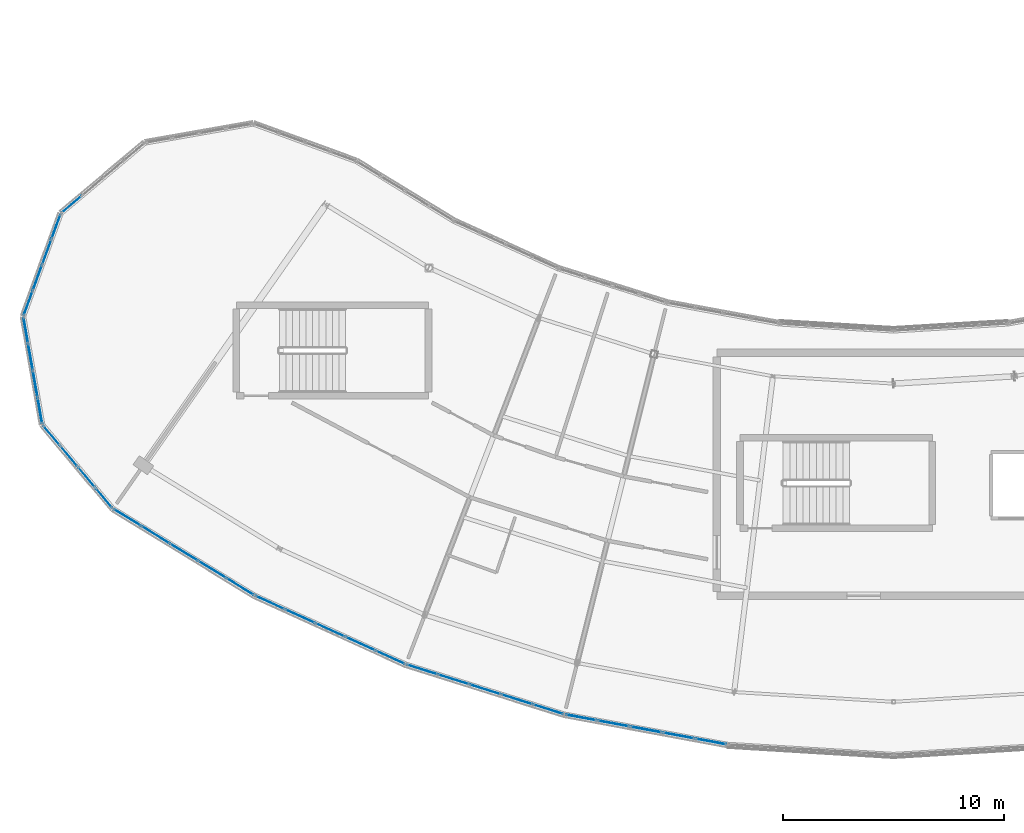
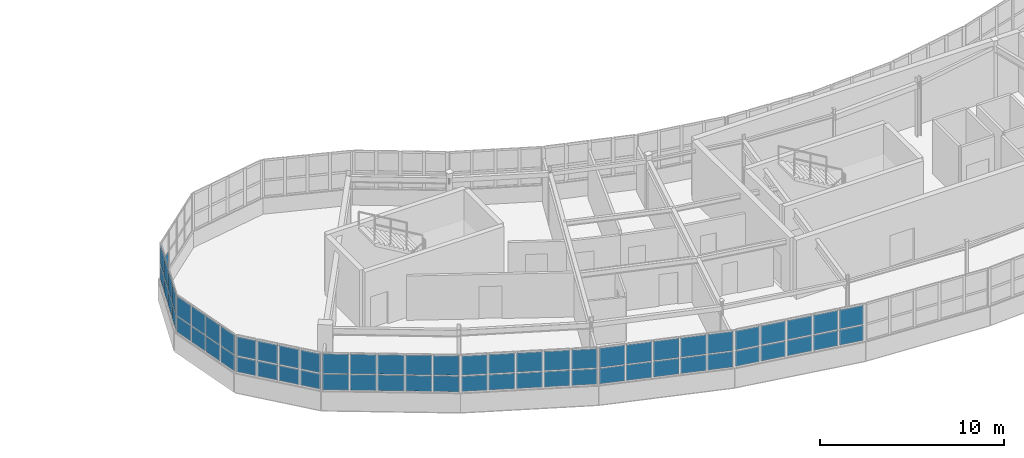
# One storey, part 46 of 79: 65 plates, 8 elements without a shape of their own.
"""IFC4 building model written with IfcOpenShell, lengths in metres."""

from ifc_helpers import new_model, si_unit, direction, frame, origin, origin_2d, place, context, subcontext, project, spatial, rectangle, extrude, material, layer, layer_set, type_object, element, aggregate, save


model = new_model("IFC4")

# Units and contexts
model_context = context("Model", 3, precision=1e-05, world=origin(), true_north=direction((0.0, 1.0)))
body_context = subcontext(model_context, "Body", "Model", "MODEL_VIEW")
ifc_project = project(units=[si_unit("LENGTHUNIT", "METRE"), si_unit("AREAUNIT", "SQUARE_METRE"), si_unit("VOLUMEUNIT", "CUBIC_METRE"), si_unit("PLANEANGLEUNIT", "RADIAN"), si_unit("MASSUNIT", "GRAM", prefix="KILO")], contexts=[model_context])

# Site, building, storey
site_placement = place(None, origin())
site = spatial("IfcSite", under=ifc_project, at=site_placement, CompositionType="ELEMENT")
building_placement = place(site_placement, origin())
building = spatial("IfcBuilding", under=site, at=building_placement, Name="Tarnwether General Hospital", CompositionType="ELEMENT")
storey_placement = place(building_placement, frame((0.0, 0.0, 18.300048828125)))
storey = spatial("IfcBuildingStorey", under=building, at=storey_placement, Name="L04", CompositionType="ELEMENT", Elevation=18.300048828125)

# Curtain wall, plates
ifc_material_1 = material(Name="Anodised aluminium", Category="aluminium")
ifc_layer_1 = layer(ifc_material_1, 0.159912109375)
ifc_layer_set_1 = layer_set([ifc_layer_1], Name="Anodised aluminium")
curtain_wall_type_1 = type_object("IfcCurtainWallType", Name="CW-09", PredefinedType="NOTDEFINED", material=ifc_layer_set_1)
curtain_wall_1_placement = place(storey_placement, origin())
curtain_wall_1 = element("IfcCurtainWall", 1, at=curtain_wall_1_placement, inside=storey, type_object=curtain_wall_type_1, Name="Curtain Wall CWG-L04-699_55-0187", PredefinedType="NOTDEFINED")
ifc_material_2 = material(Name="Double glazed low-E glass", Category="glass")
ifc_layer_2 = layer(ifc_material_2, 0.028076171875)
ifc_layer_set_2 = layer_set([ifc_layer_2], Name="Double glazed low-E glass")
plate_type_1 = type_object("IfcPlateType", Name="PT-CWP1", PredefinedType="CURTAIN_PANEL", material=ifc_layer_set_2)
plate_1_placement = place(storey_placement, frame((69.224609375, 5.81005859375, 1.1201171875), z_axis=(0.0, 0.0, 1.0), x_axis=(-0.909960793886, 0.414694289316, 0.0)))
plate_1 = element("IfcPlate", 2, at=plate_1_placement, type_object=plate_type_1, Name="CW-09 panel 1.1", PredefinedType="CURTAIN_PANEL", context=body_context, shape_type="SweptSolid", body=[
    extrude(rectangle(XDim=1.399169921875, YDim=0.028076171875, at=origin_2d()), origin(), (0.0, 0.0, 1.0), 1.015380859375),
])
plate_2_placement = place(storey_placement, frame((69.224609375, 5.81005859375, 2.20556640625), z_axis=(0.0, 0.0, 1.0), x_axis=(-0.909960793886, 0.414694289316, 0.0)))
plate_2 = element("IfcPlate", 3, at=plate_2_placement, type_object=plate_type_1, Name="CW-09 panel 1.2", PredefinedType="CURTAIN_PANEL", context=body_context, shape_type="SweptSolid", body=[
    extrude(rectangle(XDim=1.399169921875, YDim=0.028076171875, at=origin_2d()), origin(), (0.0, 0.0, 1.0), 1.264404296875),
])
plate_3_placement = place(storey_placement, frame((67.871826171875, 6.4267578125, 1.1201171875), z_axis=(0.0, 0.0, 1.0), x_axis=(-0.909960793886, 0.414694289316, 0.0)))
plate_3 = element("IfcPlate", 4, at=plate_3_placement, type_object=plate_type_1, Name="CW-09 panel 2.1", PredefinedType="CURTAIN_PANEL", context=body_context, shape_type="SweptSolid", body=[
    extrude(rectangle(XDim=1.434326171875, YDim=0.028076171875, at=origin_2d()), origin(), (0.0, 0.0, 1.0), 1.015380859375),
])
plate_4_placement = place(storey_placement, frame((67.871826171875, 6.4267578125, 2.20556640625), z_axis=(0.0, 0.0, 1.0), x_axis=(-0.909960793886, 0.414694289316, 0.0)))
plate_4 = element("IfcPlate", 5, at=plate_4_placement, type_object=plate_type_1, Name="CW-09 panel 2.2", PredefinedType="CURTAIN_PANEL", context=body_context, shape_type="SweptSolid", body=[
    extrude(rectangle(XDim=1.434326171875, YDim=0.028076171875, at=origin_2d()), origin(), (0.0, 0.0, 1.0), 1.264404296875),
])
plate_5_placement = place(storey_placement, frame((66.5029296875, 7.050537109375, 1.1201171875), z_axis=(0.0, 0.0, 1.0), x_axis=(-0.909960793886, 0.414694289316, 0.0)))
plate_5 = element("IfcPlate", 6, at=plate_5_placement, type_object=plate_type_1, Name="CW-09 panel 3.1", PredefinedType="CURTAIN_PANEL", context=body_context, shape_type="SweptSolid", body=[
    extrude(rectangle(XDim=1.434326171875, YDim=0.028076171875, at=origin_2d()), origin(), (0.0, 0.0, 1.0), 1.015380859375),
])
plate_6_placement = place(storey_placement, frame((66.5029296875, 7.050537109375, 2.20556640625), z_axis=(0.0, 0.0, 1.0), x_axis=(-0.909960793886, 0.414694289316, 0.0)))
plate_6 = element("IfcPlate", 7, at=plate_6_placement, type_object=plate_type_1, Name="CW-09 panel 3.2", PredefinedType="CURTAIN_PANEL", context=body_context, shape_type="SweptSolid", body=[
    extrude(rectangle(XDim=1.434326171875, YDim=0.028076171875, at=origin_2d()), origin(), (0.0, 0.0, 1.0), 1.264404296875),
])
plate_7_placement = place(storey_placement, frame((65.13427734375, 7.67431640625, 1.1201171875), z_axis=(0.0, 0.0, 1.0), x_axis=(-0.909960793886, 0.414694289316, 0.0)))
plate_7 = element("IfcPlate", 8, at=plate_7_placement, type_object=plate_type_1, Name="CW-09 panel 4.1", PredefinedType="CURTAIN_PANEL", context=body_context, shape_type="SweptSolid", body=[
    extrude(rectangle(XDim=1.434326171875, YDim=0.028076171875, at=origin_2d()), origin(), (0.0, 0.0, 1.0), 1.015380859375),
])
plate_8_placement = place(storey_placement, frame((65.13427734375, 7.67431640625, 2.20556640625), z_axis=(0.0, 0.0, 1.0), x_axis=(-0.909960793886, 0.414694289316, 0.0)))
plate_8 = element("IfcPlate", 9, at=plate_8_placement, type_object=plate_type_1, Name="CW-09 panel 4.2", PredefinedType="CURTAIN_PANEL", context=body_context, shape_type="SweptSolid", body=[
    extrude(rectangle(XDim=1.434326171875, YDim=0.028076171875, at=origin_2d()), origin(), (0.0, 0.0, 1.0), 1.264404296875),
])
plate_9_placement = place(storey_placement, frame((63.78125, 8.290771484375, 1.1201171875), z_axis=(0.0, 0.0, 1.0), x_axis=(-0.909960793886, 0.414694289316, 0.0)))
plate_9 = element("IfcPlate", 10, at=plate_9_placement, type_object=plate_type_1, Name="CW-09 panel 5.1", PredefinedType="CURTAIN_PANEL", context=body_context, shape_type="SweptSolid", body=[
    extrude(rectangle(XDim=1.399169921875, YDim=0.028076171875, at=origin_2d()), origin(), (0.0, 0.0, 1.0), 1.015380859375),
])
plate_10_placement = place(storey_placement, frame((63.78125, 8.290771484375, 2.20556640625), z_axis=(0.0, 0.0, 1.0), x_axis=(-0.909960793886, 0.414694289316, 0.0)))
plate_10 = element("IfcPlate", 11, at=plate_10_placement, type_object=plate_type_1, Name="CW-09 panel 5.2", PredefinedType="CURTAIN_PANEL", context=body_context, shape_type="SweptSolid", body=[
    extrude(rectangle(XDim=1.399169921875, YDim=0.028076171875, at=origin_2d()), origin(), (0.0, 0.0, 1.0), 1.264404296875),
])
aggregate(curtain_wall_1, [plate_1, plate_2, plate_3, plate_4, plate_5, plate_6, plate_7, plate_8, plate_9, plate_10])

curtain_wall_2_placement = place(storey_placement, origin())
curtain_wall_2 = element("IfcCurtainWall", 12, at=curtain_wall_2_placement, inside=storey, type_object=curtain_wall_type_1, Name="Curtain Wall CWG-L04-771_32-0188", PredefinedType="NOTDEFINED")
plate_11_placement = place(storey_placement, frame((76.365234375, 3.4609375, 1.114990234375), z_axis=(0.0, 0.0, 1.0), x_axis=(-0.953741284032, 0.300628613299, 0.0)))
plate_11 = element("IfcPlate", 13, at=plate_11_placement, type_object=plate_type_1, Name="CW-09 panel 1.1", PredefinedType="CURTAIN_PANEL", context=body_context, shape_type="SweptSolid", body=[
    extrude(rectangle(XDim=1.40673828125, YDim=0.028076171875, at=origin_2d()), origin(), (0.0, 0.0, 1.0), 1.02294921875),
])
plate_12_placement = place(storey_placement, frame((76.365234375, 3.4609375, 2.202880859375), z_axis=(0.0, 0.0, 1.0), x_axis=(-0.953741284032, 0.300628613299, 0.0)))
plate_12 = element("IfcPlate", 14, at=plate_12_placement, type_object=plate_type_1, Name="CW-09 panel 1.2", PredefinedType="CURTAIN_PANEL", context=body_context, shape_type="SweptSolid", body=[
    extrude(rectangle(XDim=1.40673828125, YDim=0.028076171875, at=origin_2d()), origin(), (0.0, 0.0, 1.0), 1.27197265625),
])
plate_13_placement = place(storey_placement, frame((74.946044921875, 3.908203125, 1.114990234375), z_axis=(0.0, 0.0, 1.0), x_axis=(-0.953741284032, 0.300628613299, 0.0)))
plate_13 = element("IfcPlate", 15, at=plate_13_placement, type_object=plate_type_1, Name="CW-09 panel 2.1", PredefinedType="CURTAIN_PANEL", context=body_context, shape_type="SweptSolid", body=[
    extrude(rectangle(XDim=1.439208984375, YDim=0.028076171875, at=origin_2d()), origin(), (0.0, 0.0, 1.0), 1.02294921875),
])
plate_14_placement = place(storey_placement, frame((74.946044921875, 3.908203125, 2.202880859375), z_axis=(0.0, 0.0, 1.0), x_axis=(-0.953741284032, 0.300628613299, 0.0)))
plate_14 = element("IfcPlate", 16, at=plate_14_placement, type_object=plate_type_1, Name="CW-09 panel 2.2", PredefinedType="CURTAIN_PANEL", context=body_context, shape_type="SweptSolid", body=[
    extrude(rectangle(XDim=1.439208984375, YDim=0.028076171875, at=origin_2d()), origin(), (0.0, 0.0, 1.0), 1.27197265625),
])
plate_15_placement = place(storey_placement, frame((73.511474609375, 4.360595703125, 1.114990234375), z_axis=(0.0, 0.0, 1.0), x_axis=(-0.953741284032, 0.300628613299, 0.0)))
plate_15 = element("IfcPlate", 17, at=plate_15_placement, type_object=plate_type_1, Name="CW-09 panel 3.1", PredefinedType="CURTAIN_PANEL", context=body_context, shape_type="SweptSolid", body=[
    extrude(rectangle(XDim=1.439208984375, YDim=0.028076171875, at=origin_2d()), origin(), (0.0, 0.0, 1.0), 1.02294921875),
])
plate_16_placement = place(storey_placement, frame((73.511474609375, 4.360595703125, 2.202880859375), z_axis=(0.0, 0.0, 1.0), x_axis=(-0.953741284032, 0.300628613299, 0.0)))
plate_16 = element("IfcPlate", 18, at=plate_16_placement, type_object=plate_type_1, Name="CW-09 panel 3.2", PredefinedType="CURTAIN_PANEL", context=body_context, shape_type="SweptSolid", body=[
    extrude(rectangle(XDim=1.439208984375, YDim=0.028076171875, at=origin_2d()), origin(), (0.0, 0.0, 1.0), 1.27197265625),
])
plate_17_placement = place(storey_placement, frame((72.076904296875, 4.812744140625, 1.114990234375), z_axis=(0.0, 0.0, 1.0), x_axis=(-0.953741284032, 0.300628613299, 0.0)))
plate_17 = element("IfcPlate", 19, at=plate_17_placement, type_object=plate_type_1, Name="CW-09 panel 4.1", PredefinedType="CURTAIN_PANEL", context=body_context, shape_type="SweptSolid", body=[
    extrude(rectangle(XDim=1.439208984375, YDim=0.028076171875, at=origin_2d()), origin(), (0.0, 0.0, 1.0), 1.02294921875),
])
plate_18_placement = place(storey_placement, frame((72.076904296875, 4.812744140625, 2.202880859375), z_axis=(0.0, 0.0, 1.0), x_axis=(-0.953741284032, 0.300628613299, 0.0)))
plate_18 = element("IfcPlate", 20, at=plate_18_placement, type_object=plate_type_1, Name="CW-09 panel 4.2", PredefinedType="CURTAIN_PANEL", context=body_context, shape_type="SweptSolid", body=[
    extrude(rectangle(XDim=1.439208984375, YDim=0.028076171875, at=origin_2d()), origin(), (0.0, 0.0, 1.0), 1.27197265625),
])
plate_19_placement = place(storey_placement, frame((70.65771484375, 5.260009765625, 1.114990234375), z_axis=(0.0, 0.0, 1.0), x_axis=(-0.953741284032, 0.300628613299, 0.0)))
plate_19 = element("IfcPlate", 21, at=plate_19_placement, type_object=plate_type_1, Name="CW-09 panel 5.1", PredefinedType="CURTAIN_PANEL", context=body_context, shape_type="SweptSolid", body=[
    extrude(rectangle(XDim=1.40673828125, YDim=0.028076171875, at=origin_2d()), origin(), (0.0, 0.0, 1.0), 1.02294921875),
])
plate_20_placement = place(storey_placement, frame((70.65771484375, 5.260009765625, 2.202880859375), z_axis=(0.0, 0.0, 1.0), x_axis=(-0.953741284032, 0.300628613299, 0.0)))
plate_20 = element("IfcPlate", 22, at=plate_20_placement, type_object=plate_type_1, Name="CW-09 panel 5.2", PredefinedType="CURTAIN_PANEL", context=body_context, shape_type="SweptSolid", body=[
    extrude(rectangle(XDim=1.40673828125, YDim=0.028076171875, at=origin_2d()), origin(), (0.0, 0.0, 1.0), 1.27197265625),
])
aggregate(curtain_wall_2, [plate_11, plate_12, plate_13, plate_14, plate_15, plate_16, plate_17, plate_18, plate_19, plate_20])

# Curtain wall, plate
ifc_material_3 = material(Name="Anodised aluminium", Category="aluminium")
ifc_layer_3 = layer(ifc_material_3, 0.159912109375)
ifc_layer_set_3 = layer_set([ifc_layer_3], Name="Anodised aluminium")
curtain_wall_type_2 = type_object("IfcCurtainWallType", Name="CW-03", PredefinedType="NOTDEFINED", material=ifc_layer_set_3)
curtain_wall_3_placement = place(storey_placement, origin())
curtain_wall_3 = element("IfcCurtainWall", 23, at=curtain_wall_3_placement, inside=storey, type_object=curtain_wall_type_2, Name="Curtain Wall CWG-L04-543_259-0214", PredefinedType="NOTDEFINED")
plate_21_placement = place(storey_placement, frame((54.79736328125, 26.319091796875, 1.10986328125), z_axis=(0.0, 0.0, 1.0), x_axis=(0.765990176896, 0.64285227611, 0.0)))
plate_21 = element("IfcPlate", 24, at=plate_21_placement, type_object=plate_type_1, Name="CW-03 panel 1.1", PredefinedType="CURTAIN_PANEL", context=body_context, shape_type="SweptSolid", body=[
    extrude(rectangle(XDim=1.152587890625, YDim=0.028076171875, at=origin_2d()), origin(), (0.0, 0.0, 1.0), 1.030517578125),
])
aggregate(curtain_wall_3, [plate_21])

# Curtain wall, plates
curtain_wall_4_placement = place(storey_placement, origin())
curtain_wall_4 = element("IfcCurtainWall", 25, at=curtain_wall_4_placement, inside=storey, type_object=curtain_wall_type_2, Name="Curtain Wall CWG-L04-526_212-0215", PredefinedType="NOTDEFINED")
plate_22_placement = place(storey_placement, frame((52.829345703125, 21.841064453125, 1.1201171875), z_axis=(0.0, 0.0, 1.0), x_axis=(0.341953136469, 0.939717006582, 0.0)))
plate_22 = element("IfcPlate", 26, at=plate_22_placement, type_object=plate_type_1, Name="CW-03 panel 1.1", PredefinedType="CURTAIN_PANEL", context=body_context, shape_type="SweptSolid", body=[
    extrude(rectangle(XDim=1.13720703125, YDim=0.028076171875, at=origin_2d()), origin(), (0.0, 0.0, 1.0), 1.015380859375),
])
plate_23_placement = place(storey_placement, frame((52.829345703125, 21.841064453125, 2.20556640625), z_axis=(0.0, 0.0, 1.0), x_axis=(0.341953136469, 0.939717006582, 0.0)))
plate_23 = element("IfcPlate", 27, at=plate_23_placement, type_object=plate_type_1, Name="CW-03 panel 1.2", PredefinedType="CURTAIN_PANEL", context=body_context, shape_type="SweptSolid", body=[
    extrude(rectangle(XDim=1.13720703125, YDim=0.028076171875, at=origin_2d()), origin(), (0.0, 0.0, 1.0), 1.264404296875),
])
plate_24_placement = place(storey_placement, frame((53.248046875, 22.991943359375, 1.1201171875), z_axis=(0.0, 0.0, 1.0), x_axis=(0.341953136469, 0.939717006582, 0.0)))
plate_24 = element("IfcPlate", 28, at=plate_24_placement, type_object=plate_type_1, Name="CW-03 panel 2.1", PredefinedType="CURTAIN_PANEL", context=body_context, shape_type="SweptSolid", body=[
    extrude(rectangle(XDim=1.172119140625, YDim=0.028076171875, at=origin_2d()), origin(), (0.0, 0.0, 1.0), 1.015380859375),
])
plate_25_placement = place(storey_placement, frame((53.248046875, 22.991943359375, 2.20556640625), z_axis=(0.0, 0.0, 1.0), x_axis=(0.341953136469, 0.939717006582, 0.0)))
plate_25 = element("IfcPlate", 29, at=plate_25_placement, type_object=plate_type_1, Name="CW-03 panel 2.2", PredefinedType="CURTAIN_PANEL", context=body_context, shape_type="SweptSolid", body=[
    extrude(rectangle(XDim=1.172119140625, YDim=0.028076171875, at=origin_2d()), origin(), (0.0, 0.0, 1.0), 1.264404296875),
])
plate_26_placement = place(storey_placement, frame((53.6728515625, 24.1591796875, 1.1201171875), z_axis=(0.0, 0.0, 1.0), x_axis=(0.341953136469, 0.939717006582, 0.0)))
plate_26 = element("IfcPlate", 30, at=plate_26_placement, type_object=plate_type_1, Name="CW-03 panel 3.1", PredefinedType="CURTAIN_PANEL", context=body_context, shape_type="SweptSolid", body=[
    extrude(rectangle(XDim=1.172119140625, YDim=0.028076171875, at=origin_2d()), origin(), (0.0, 0.0, 1.0), 1.015380859375),
])
plate_27_placement = place(storey_placement, frame((53.6728515625, 24.1591796875, 2.20556640625), z_axis=(0.0, 0.0, 1.0), x_axis=(0.341953136469, 0.939717006582, 0.0)))
plate_27 = element("IfcPlate", 31, at=plate_27_placement, type_object=plate_type_1, Name="CW-03 panel 3.2", PredefinedType="CURTAIN_PANEL", context=body_context, shape_type="SweptSolid", body=[
    extrude(rectangle(XDim=1.172119140625, YDim=0.028076171875, at=origin_2d()), origin(), (0.0, 0.0, 1.0), 1.264404296875),
])
plate_28_placement = place(storey_placement, frame((54.091552734375, 25.309814453125, 1.1201171875), z_axis=(0.0, 0.0, 1.0), x_axis=(0.341953136469, 0.939717006582, 0.0)))
plate_28 = element("IfcPlate", 32, at=plate_28_placement, type_object=plate_type_1, Name="CW-03 panel 4.1", PredefinedType="CURTAIN_PANEL", context=body_context, shape_type="SweptSolid", body=[
    extrude(rectangle(XDim=1.13720703125, YDim=0.028076171875, at=origin_2d()), origin(), (0.0, 0.0, 1.0), 1.015380859375),
])
plate_29_placement = place(storey_placement, frame((54.091552734375, 25.309814453125, 2.20556640625), z_axis=(0.0, 0.0, 1.0), x_axis=(0.341953136469, 0.939717006582, 0.0)))
plate_29 = element("IfcPlate", 33, at=plate_29_placement, type_object=plate_type_1, Name="CW-03 panel 4.2", PredefinedType="CURTAIN_PANEL", context=body_context, shape_type="SweptSolid", body=[
    extrude(rectangle(XDim=1.13720703125, YDim=0.028076171875, at=origin_2d()), origin(), (0.0, 0.0, 1.0), 1.264404296875),
])
aggregate(curtain_wall_4, [plate_22, plate_23, plate_24, plate_25, plate_26, plate_27, plate_28, plate_29])

curtain_wall_5_placement = place(storey_placement, origin())
curtain_wall_5 = element("IfcCurtainWall", 34, at=curtain_wall_5_placement, inside=storey, type_object=curtain_wall_type_2, Name="Curtain Wall CWG-L04-567_125-0217", PredefinedType="NOTDEFINED")
plate_30_placement = place(storey_placement, frame((56.255859375, 13.03125, 1.1298828125), z_axis=(0.0, 0.0, 1.0), x_axis=(-0.64285227611, 0.765990176896, 0.0)))
plate_30 = element("IfcPlate", 35, at=plate_30_placement, type_object=plate_type_1, Name="CW-03 panel 1.1", PredefinedType="CURTAIN_PANEL", context=body_context, shape_type="SweptSolid", body=[
    extrude(rectangle(XDim=1.12255859375, YDim=0.028076171875, at=origin_2d()), origin(), (0.0, 0.0, 1.0), 1.00048828125),
])
plate_31_placement = place(storey_placement, frame((56.255859375, 13.03125, 2.21044921875), z_axis=(0.0, 0.0, 1.0), x_axis=(-0.64285227611, 0.765990176896, 0.0)))
plate_31 = element("IfcPlate", 36, at=plate_31_placement, type_object=plate_type_1, Name="CW-03 panel 1.2", PredefinedType="CURTAIN_PANEL", context=body_context, shape_type="SweptSolid", body=[
    extrude(rectangle(XDim=1.12255859375, YDim=0.028076171875, at=origin_2d()), origin(), (0.0, 0.0, 1.0), 1.24951171875),
])
plate_32_placement = place(storey_placement, frame((55.469970703125, 13.967529296875, 1.1298828125), z_axis=(0.0, 0.0, 1.0), x_axis=(-0.64285227611, 0.765990176896, 0.0)))
plate_32 = element("IfcPlate", 37, at=plate_32_placement, type_object=plate_type_1, Name="CW-03 panel 2.1", PredefinedType="CURTAIN_PANEL", context=body_context, shape_type="SweptSolid", body=[
    extrude(rectangle(XDim=1.16259765625, YDim=0.028076171875, at=origin_2d()), origin(), (0.0, 0.0, 1.0), 1.00048828125),
])
plate_33_placement = place(storey_placement, frame((55.469970703125, 13.967529296875, 2.21044921875), z_axis=(0.0, 0.0, 1.0), x_axis=(-0.64285227611, 0.765990176896, 0.0)))
plate_33 = element("IfcPlate", 38, at=plate_33_placement, type_object=plate_type_1, Name="CW-03 panel 2.2", PredefinedType="CURTAIN_PANEL", context=body_context, shape_type="SweptSolid", body=[
    extrude(rectangle(XDim=1.16259765625, YDim=0.028076171875, at=origin_2d()), origin(), (0.0, 0.0, 1.0), 1.24951171875),
])
plate_34_placement = place(storey_placement, frame((54.671142578125, 14.91943359375, 1.1298828125), z_axis=(0.0, 0.0, 1.0), x_axis=(-0.64285227611, 0.765990176896, 0.0)))
plate_34 = element("IfcPlate", 39, at=plate_34_placement, type_object=plate_type_1, Name="CW-03 panel 3.1", PredefinedType="CURTAIN_PANEL", context=body_context, shape_type="SweptSolid", body=[
    extrude(rectangle(XDim=1.16259765625, YDim=0.028076171875, at=origin_2d()), origin(), (0.0, 0.0, 1.0), 1.00048828125),
])
plate_35_placement = place(storey_placement, frame((54.671142578125, 14.91943359375, 2.21044921875), z_axis=(0.0, 0.0, 1.0), x_axis=(-0.64285227611, 0.765990176896, 0.0)))
plate_35 = element("IfcPlate", 40, at=plate_35_placement, type_object=plate_type_1, Name="CW-03 panel 3.2", PredefinedType="CURTAIN_PANEL", context=body_context, shape_type="SweptSolid", body=[
    extrude(rectangle(XDim=1.16259765625, YDim=0.028076171875, at=origin_2d()), origin(), (0.0, 0.0, 1.0), 1.24951171875),
])
plate_36_placement = place(storey_placement, frame((53.88525390625, 15.855712890625, 1.1298828125), z_axis=(0.0, 0.0, 1.0), x_axis=(-0.64285227611, 0.765990176896, 0.0)))
plate_36 = element("IfcPlate", 41, at=plate_36_placement, type_object=plate_type_1, Name="CW-03 panel 4.1", PredefinedType="CURTAIN_PANEL", context=body_context, shape_type="SweptSolid", body=[
    extrude(rectangle(XDim=1.12255859375, YDim=0.028076171875, at=origin_2d()), origin(), (0.0, 0.0, 1.0), 1.00048828125),
])
plate_37_placement = place(storey_placement, frame((53.88525390625, 15.855712890625, 2.21044921875), z_axis=(0.0, 0.0, 1.0), x_axis=(-0.64285227611, 0.765990176896, 0.0)))
plate_37 = element("IfcPlate", 42, at=plate_37_placement, type_object=plate_type_1, Name="CW-03 panel 4.2", PredefinedType="CURTAIN_PANEL", context=body_context, shape_type="SweptSolid", body=[
    extrude(rectangle(XDim=1.12255859375, YDim=0.028076171875, at=origin_2d()), origin(), (0.0, 0.0, 1.0), 1.24951171875),
])
aggregate(curtain_wall_5, [plate_30, plate_31, plate_32, plate_33, plate_34, plate_35, plate_36, plate_37])

curtain_wall_6_placement = place(storey_placement, origin())
curtain_wall_6 = element("IfcCurtainWall", 43, at=curtain_wall_6_placement, inside=storey, type_object=curtain_wall_type_1, Name="Curtain Wall CWG-L04-631_86-0186", PredefinedType="NOTDEFINED")
ifc_material_4 = material(Name="Double glazed low-E glass", Category="glass")
ifc_layer_4 = layer(ifc_material_4, 0.035888671875)
ifc_layer_set_4 = layer_set([ifc_layer_4], Name="Double glazed low-E glass")
plate_type_2 = type_object("IfcPlateType", Name="PT-CWP2", PredefinedType="CURTAIN_PANEL", material=ifc_layer_set_4)
plate_38_placement = place(storey_placement, frame((62.427001953125, 9.0107421875, 1.10986328125), z_axis=(0.0, 0.0, 1.0), x_axis=(-0.852633734977, 0.522509056361, 0.0)))
plate_38 = element("IfcPlate", 44, at=plate_38_placement, type_object=plate_type_2, Name="CW-09 panel 1.1", PredefinedType="CURTAIN_PANEL", context=body_context, shape_type="SweptSolid", body=[
    extrude(rectangle(XDim=1.414306640625, YDim=0.035888671875, at=origin_2d()), origin(), (0.0, 0.0, 1.0), 1.030517578125),
])
plate_39_placement = place(storey_placement, frame((62.427001953125, 9.0107421875, 2.2001953125), z_axis=(0.0, 0.0, 1.0), x_axis=(-0.852633734977, 0.522509056361, 0.0)))
plate_39 = element("IfcPlate", 45, at=plate_39_placement, type_object=plate_type_2, Name="CW-09 panel 1.2", PredefinedType="CURTAIN_PANEL", context=body_context, shape_type="SweptSolid", body=[
    extrude(rectangle(XDim=1.414306640625, YDim=0.035888671875, at=origin_2d()), origin(), (0.0, 0.0, 1.0), 1.279541015625),
])
plate_40_placement = place(storey_placement, frame((61.156982421875, 9.7890625, 1.10986328125), z_axis=(0.0, 0.0, 1.0), x_axis=(-0.852633734977, 0.522509056361, 0.0)))
plate_40 = element("IfcPlate", 46, at=plate_40_placement, type_object=plate_type_2, Name="CW-09 panel 2.1", PredefinedType="CURTAIN_PANEL", context=body_context, shape_type="SweptSolid", body=[
    extrude(rectangle(XDim=1.4443359375, YDim=0.035888671875, at=origin_2d()), origin(), (0.0, 0.0, 1.0), 1.030517578125),
])
plate_41_placement = place(storey_placement, frame((61.156982421875, 9.7890625, 2.2001953125), z_axis=(0.0, 0.0, 1.0), x_axis=(-0.852633734977, 0.522509056361, 0.0)))
plate_41 = element("IfcPlate", 47, at=plate_41_placement, type_object=plate_type_2, Name="CW-09 panel 2.2", PredefinedType="CURTAIN_PANEL", context=body_context, shape_type="SweptSolid", body=[
    extrude(rectangle(XDim=1.4443359375, YDim=0.035888671875, at=origin_2d()), origin(), (0.0, 0.0, 1.0), 1.279541015625),
])
plate_42_placement = place(storey_placement, frame((59.87451171875, 10.574951171875, 1.10986328125), z_axis=(0.0, 0.0, 1.0), x_axis=(-0.852633734977, 0.522509056361, 0.0)))
plate_42 = element("IfcPlate", 48, at=plate_42_placement, type_object=plate_type_2, Name="CW-09 panel 3.1", PredefinedType="CURTAIN_PANEL", context=body_context, shape_type="SweptSolid", body=[
    extrude(rectangle(XDim=1.4443359375, YDim=0.035888671875, at=origin_2d()), origin(), (0.0, 0.0, 1.0), 1.030517578125),
])
plate_43_placement = place(storey_placement, frame((59.87451171875, 10.574951171875, 2.2001953125), z_axis=(0.0, 0.0, 1.0), x_axis=(-0.852633734977, 0.522509056361, 0.0)))
plate_43 = element("IfcPlate", 49, at=plate_43_placement, type_object=plate_type_2, Name="CW-09 panel 3.2", PredefinedType="CURTAIN_PANEL", context=body_context, shape_type="SweptSolid", body=[
    extrude(rectangle(XDim=1.4443359375, YDim=0.035888671875, at=origin_2d()), origin(), (0.0, 0.0, 1.0), 1.279541015625),
])
plate_44_placement = place(storey_placement, frame((58.591796875, 11.361083984375, 1.10986328125), z_axis=(0.0, 0.0, 1.0), x_axis=(-0.852633734977, 0.522509056361, 0.0)))
plate_44 = element("IfcPlate", 50, at=plate_44_placement, type_object=plate_type_2, Name="CW-09 panel 4.1", PredefinedType="CURTAIN_PANEL", context=body_context, shape_type="SweptSolid", body=[
    extrude(rectangle(XDim=1.4443359375, YDim=0.035888671875, at=origin_2d()), origin(), (0.0, 0.0, 1.0), 1.030517578125),
])
plate_45_placement = place(storey_placement, frame((58.591796875, 11.361083984375, 2.2001953125), z_axis=(0.0, 0.0, 1.0), x_axis=(-0.852633734977, 0.522509056361, 0.0)))
plate_45 = element("IfcPlate", 51, at=plate_45_placement, type_object=plate_type_2, Name="CW-09 panel 4.2", PredefinedType="CURTAIN_PANEL", context=body_context, shape_type="SweptSolid", body=[
    extrude(rectangle(XDim=1.4443359375, YDim=0.035888671875, at=origin_2d()), origin(), (0.0, 0.0, 1.0), 1.279541015625),
])
plate_46_placement = place(storey_placement, frame((57.322021484375, 12.13916015625, 1.10986328125), z_axis=(0.0, 0.0, 1.0), x_axis=(-0.852633734977, 0.522509056361, 0.0)))
plate_46 = element("IfcPlate", 52, at=plate_46_placement, type_object=plate_type_2, Name="CW-09 panel 5.1", PredefinedType="CURTAIN_PANEL", context=body_context, shape_type="SweptSolid", body=[
    extrude(rectangle(XDim=1.414306640625, YDim=0.035888671875, at=origin_2d()), origin(), (0.0, 0.0, 1.0), 1.030517578125),
])
plate_47_placement = place(storey_placement, frame((57.322021484375, 12.13916015625, 2.2001953125), z_axis=(0.0, 0.0, 1.0), x_axis=(-0.852633734977, 0.522509056361, 0.0)))
plate_47 = element("IfcPlate", 53, at=plate_47_placement, type_object=plate_type_2, Name="CW-09 panel 5.2", PredefinedType="CURTAIN_PANEL", context=body_context, shape_type="SweptSolid", body=[
    extrude(rectangle(XDim=1.414306640625, YDim=0.035888671875, at=origin_2d()), origin(), (0.0, 0.0, 1.0), 1.279541015625),
])
aggregate(curtain_wall_6, [plate_38, plate_39, plate_40, plate_41, plate_42, plate_43, plate_44, plate_45, plate_46, plate_47])

curtain_wall_7_placement = place(storey_placement, origin())
curtain_wall_7 = element("IfcCurtainWall", 54, at=curtain_wall_7_placement, inside=storey, type_object=curtain_wall_type_1, Name="Curtain Wall CWG-L04-845_19-0189", PredefinedType="NOTDEFINED")
plate_48_placement = place(storey_placement, frame((83.73388671875, 1.999755859375, 1.1298828125), z_axis=(0.0, 0.0, 1.0), x_axis=(-0.983244953132, 0.182289226614, 0.0)))
plate_48 = element("IfcPlate", 55, at=plate_48_placement, type_object=plate_type_2, Name="CW-09 panel 1.1", PredefinedType="CURTAIN_PANEL", context=body_context, shape_type="SweptSolid", body=[
    extrude(rectangle(XDim=1.38427734375, YDim=0.035888671875, at=origin_2d()), origin(), (0.0, 0.0, 1.0), 1.00048828125),
])
plate_49_placement = place(storey_placement, frame((83.73388671875, 1.999755859375, 2.21044921875), z_axis=(0.0, 0.0, 1.0), x_axis=(-0.983244953132, 0.182289226614, 0.0)))
plate_49 = element("IfcPlate", 56, at=plate_49_placement, type_object=plate_type_2, Name="CW-09 panel 1.2", PredefinedType="CURTAIN_PANEL", context=body_context, shape_type="SweptSolid", body=[
    extrude(rectangle(XDim=1.38427734375, YDim=0.035888671875, at=origin_2d()), origin(), (0.0, 0.0, 1.0), 1.24951171875),
])
plate_50_placement = place(storey_placement, frame((82.2744140625, 2.270263671875, 1.1298828125), z_axis=(0.0, 0.0, 1.0), x_axis=(-0.983244953132, 0.182289226614, 0.0)))
plate_50 = element("IfcPlate", 57, at=plate_50_placement, type_object=plate_type_2, Name="CW-09 panel 2.1", PredefinedType="CURTAIN_PANEL", context=body_context, shape_type="SweptSolid", body=[
    extrude(rectangle(XDim=1.42431640625, YDim=0.035888671875, at=origin_2d()), origin(), (0.0, 0.0, 1.0), 1.00048828125),
])
plate_51_placement = place(storey_placement, frame((82.2744140625, 2.270263671875, 2.21044921875), z_axis=(0.0, 0.0, 1.0), x_axis=(-0.983244953132, 0.182289226614, 0.0)))
plate_51 = element("IfcPlate", 58, at=plate_51_placement, type_object=plate_type_2, Name="CW-09 panel 2.2", PredefinedType="CURTAIN_PANEL", context=body_context, shape_type="SweptSolid", body=[
    extrude(rectangle(XDim=1.42431640625, YDim=0.035888671875, at=origin_2d()), origin(), (0.0, 0.0, 1.0), 1.24951171875),
])
plate_52_placement = place(storey_placement, frame((80.79541015625, 2.54443359375, 1.1298828125), z_axis=(0.0, 0.0, 1.0), x_axis=(-0.983244953132, 0.182289226614, 0.0)))
plate_52 = element("IfcPlate", 59, at=plate_52_placement, type_object=plate_type_2, Name="CW-09 panel 3.1", PredefinedType="CURTAIN_PANEL", context=body_context, shape_type="SweptSolid", body=[
    extrude(rectangle(XDim=1.42431640625, YDim=0.035888671875, at=origin_2d()), origin(), (0.0, 0.0, 1.0), 1.00048828125),
])
plate_53_placement = place(storey_placement, frame((80.79541015625, 2.54443359375, 2.21044921875), z_axis=(0.0, 0.0, 1.0), x_axis=(-0.983244953132, 0.182289226614, 0.0)))
plate_53 = element("IfcPlate", 60, at=plate_53_placement, type_object=plate_type_2, Name="CW-09 panel 3.2", PredefinedType="CURTAIN_PANEL", context=body_context, shape_type="SweptSolid", body=[
    extrude(rectangle(XDim=1.42431640625, YDim=0.035888671875, at=origin_2d()), origin(), (0.0, 0.0, 1.0), 1.24951171875),
])
plate_54_placement = place(storey_placement, frame((79.31640625, 2.818603515625, 1.1298828125), z_axis=(0.0, 0.0, 1.0), x_axis=(-0.983244953132, 0.182289226614, 0.0)))
plate_54 = element("IfcPlate", 61, at=plate_54_placement, type_object=plate_type_2, Name="CW-09 panel 4.1", PredefinedType="CURTAIN_PANEL", context=body_context, shape_type="SweptSolid", body=[
    extrude(rectangle(XDim=1.42431640625, YDim=0.035888671875, at=origin_2d()), origin(), (0.0, 0.0, 1.0), 1.00048828125),
])
plate_55_placement = place(storey_placement, frame((79.31640625, 2.818603515625, 2.21044921875), z_axis=(0.0, 0.0, 1.0), x_axis=(-0.983244953132, 0.182289226614, 0.0)))
plate_55 = element("IfcPlate", 62, at=plate_55_placement, type_object=plate_type_2, Name="CW-09 panel 4.2", PredefinedType="CURTAIN_PANEL", context=body_context, shape_type="SweptSolid", body=[
    extrude(rectangle(XDim=1.42431640625, YDim=0.035888671875, at=origin_2d()), origin(), (0.0, 0.0, 1.0), 1.24951171875),
])
plate_56_placement = place(storey_placement, frame((77.857177734375, 3.08935546875, 1.1298828125), z_axis=(0.0, 0.0, 1.0), x_axis=(-0.983244953132, 0.182289226614, 0.0)))
plate_56 = element("IfcPlate", 63, at=plate_56_placement, type_object=plate_type_2, Name="CW-09 panel 5.1", PredefinedType="CURTAIN_PANEL", context=body_context, shape_type="SweptSolid", body=[
    extrude(rectangle(XDim=1.38427734375, YDim=0.035888671875, at=origin_2d()), origin(), (0.0, 0.0, 1.0), 1.00048828125),
])
plate_57_placement = place(storey_placement, frame((77.857177734375, 3.08935546875, 2.21044921875), z_axis=(0.0, 0.0, 1.0), x_axis=(-0.983244953132, 0.182289226614, 0.0)))
plate_57 = element("IfcPlate", 64, at=plate_57_placement, type_object=plate_type_2, Name="CW-09 panel 5.2", PredefinedType="CURTAIN_PANEL", context=body_context, shape_type="SweptSolid", body=[
    extrude(rectangle(XDim=1.38427734375, YDim=0.035888671875, at=origin_2d()), origin(), (0.0, 0.0, 1.0), 1.24951171875),
])
aggregate(curtain_wall_7, [plate_48, plate_49, plate_50, plate_51, plate_52, plate_53, plate_54, plate_55, plate_56, plate_57])

curtain_wall_8_placement = place(storey_placement, origin())
curtain_wall_8 = element("IfcCurtainWall", 65, at=curtain_wall_8_placement, inside=storey, type_object=curtain_wall_type_2, Name="Curtain Wall CWG-L04-535_163-0216", PredefinedType="NOTDEFINED")
plate_58_placement = place(storey_placement, frame((53.362548828125, 16.974853515625, 1.114990234375), z_axis=(0.0, 0.0, 1.0), x_axis=(-0.173463890135, 0.984840230098, 0.0)))
plate_58 = element("IfcPlate", 66, at=plate_58_placement, type_object=plate_type_2, Name="CW-03 panel 1.1", PredefinedType="CURTAIN_PANEL", context=body_context, shape_type="SweptSolid", body=[
    extrude(rectangle(XDim=1.144775390625, YDim=0.035888671875, at=origin_2d()), origin(), (0.0, 0.0, 1.0), 1.02294921875),
])
plate_59_placement = place(storey_placement, frame((53.362548828125, 16.974853515625, 2.202880859375), z_axis=(0.0, 0.0, 1.0), x_axis=(-0.173463890135, 0.984840230098, 0.0)))
plate_59 = element("IfcPlate", 67, at=plate_59_placement, type_object=plate_type_2, Name="CW-03 panel 1.2", PredefinedType="CURTAIN_PANEL", context=body_context, shape_type="SweptSolid", body=[
    extrude(rectangle(XDim=1.144775390625, YDim=0.035888671875, at=origin_2d()), origin(), (0.0, 0.0, 1.0), 1.27197265625),
])
plate_60_placement = place(storey_placement, frame((53.149658203125, 18.18212890625, 1.114990234375), z_axis=(0.0, 0.0, 1.0), x_axis=(-0.173463890135, 0.984840230098, 0.0)))
plate_60 = element("IfcPlate", 68, at=plate_60_placement, type_object=plate_type_2, Name="CW-03 panel 2.1", PredefinedType="CURTAIN_PANEL", context=body_context, shape_type="SweptSolid", body=[
    extrude(rectangle(XDim=1.17724609375, YDim=0.035888671875, at=origin_2d()), origin(), (0.0, 0.0, 1.0), 1.02294921875),
])
plate_61_placement = place(storey_placement, frame((53.149658203125, 18.18212890625, 2.202880859375), z_axis=(0.0, 0.0, 1.0), x_axis=(-0.173463890135, 0.984840230098, 0.0)))
plate_61 = element("IfcPlate", 69, at=plate_61_placement, type_object=plate_type_2, Name="CW-03 panel 2.2", PredefinedType="CURTAIN_PANEL", context=body_context, shape_type="SweptSolid", body=[
    extrude(rectangle(XDim=1.17724609375, YDim=0.035888671875, at=origin_2d()), origin(), (0.0, 0.0, 1.0), 1.27197265625),
])
plate_62_placement = place(storey_placement, frame((52.934326171875, 19.40576171875, 1.114990234375), z_axis=(0.0, 0.0, 1.0), x_axis=(-0.173463890135, 0.984840230098, 0.0)))
plate_62 = element("IfcPlate", 70, at=plate_62_placement, type_object=plate_type_2, Name="CW-03 panel 3.1", PredefinedType="CURTAIN_PANEL", context=body_context, shape_type="SweptSolid", body=[
    extrude(rectangle(XDim=1.17724609375, YDim=0.035888671875, at=origin_2d()), origin(), (0.0, 0.0, 1.0), 1.02294921875),
])
plate_63_placement = place(storey_placement, frame((52.934326171875, 19.40576171875, 2.202880859375), z_axis=(0.0, 0.0, 1.0), x_axis=(-0.173463890135, 0.984840230098, 0.0)))
plate_63 = element("IfcPlate", 71, at=plate_63_placement, type_object=plate_type_2, Name="CW-03 panel 3.2", PredefinedType="CURTAIN_PANEL", context=body_context, shape_type="SweptSolid", body=[
    extrude(rectangle(XDim=1.17724609375, YDim=0.035888671875, at=origin_2d()), origin(), (0.0, 0.0, 1.0), 1.27197265625),
])
plate_64_placement = place(storey_placement, frame((52.7216796875, 20.61328125, 1.114990234375), z_axis=(0.0, 0.0, 1.0), x_axis=(-0.173463890135, 0.984840230098, 0.0)))
plate_64 = element("IfcPlate", 72, at=plate_64_placement, type_object=plate_type_2, Name="CW-03 panel 4.1", PredefinedType="CURTAIN_PANEL", context=body_context, shape_type="SweptSolid", body=[
    extrude(rectangle(XDim=1.144775390625, YDim=0.035888671875, at=origin_2d()), origin(), (0.0, 0.0, 1.0), 1.02294921875),
])
plate_65_placement = place(storey_placement, frame((52.7216796875, 20.61328125, 2.202880859375), z_axis=(0.0, 0.0, 1.0), x_axis=(-0.173463890135, 0.984840230098, 0.0)))
plate_65 = element("IfcPlate", 73, at=plate_65_placement, type_object=plate_type_2, Name="CW-03 panel 4.2", PredefinedType="CURTAIN_PANEL", context=body_context, shape_type="SweptSolid", body=[
    extrude(rectangle(XDim=1.144775390625, YDim=0.035888671875, at=origin_2d()), origin(), (0.0, 0.0, 1.0), 1.27197265625),
])
aggregate(curtain_wall_8, [plate_58, plate_59, plate_60, plate_61, plate_62, plate_63, plate_64, plate_65])

save(model, "model.ifc")
